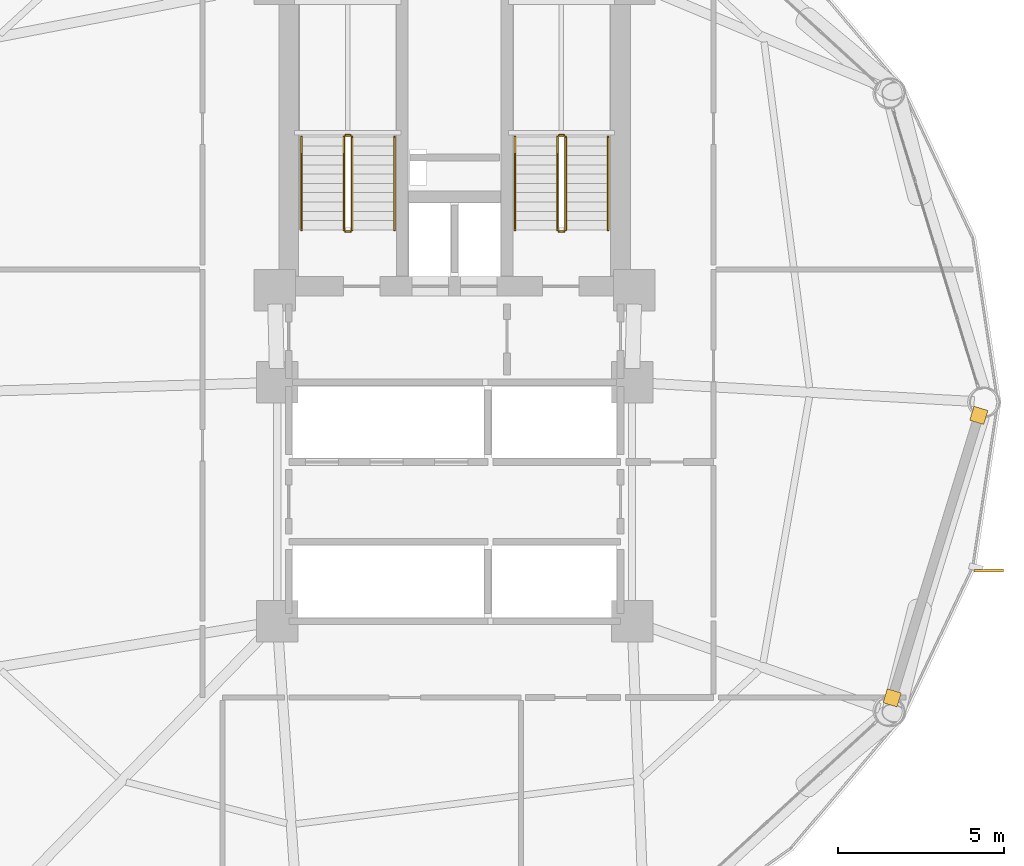
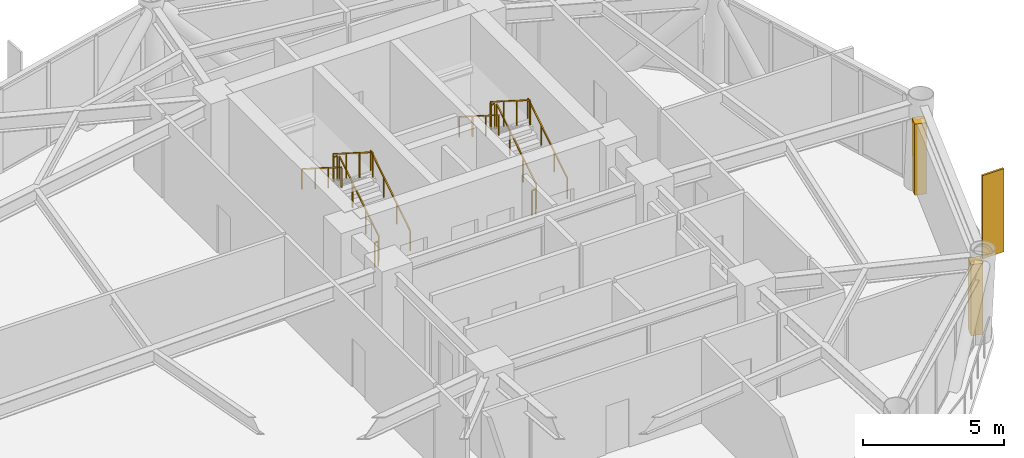
# One storey, part 24 of 25: 12 railings, 2 coverings, 1 shading device.
"""IFC4 building model written with IfcOpenShell, lengths in metres."""

import ifcopenshell
import ifcopenshell.guid

model = None  # the IFC model being written
_history = None  # IfcOwnerHistory: only IFC2X3 demands one
_inside = {}  # id of a spatial element -> (the spatial element, [elements in it])
_under = {}  # id of a project, library or spatial element -> (it, [spatial elements below it])
_declared = {}  # id of a project -> (the project, [libraries it declares])
_typed = {}  # id of a type object -> (the type object, [elements of that type])
_made_of = {}  # id of a material, layer set ... -> (it, [elements and type objects made of it])


def new_model(schema):
    """Start an empty IFC model of exactly this schema.

    Asked for "IFC4X3", IfcOpenShell would pick the latest addendum, in which some entities
    have other attributes; the version numbers below select the first issue.
    IFC2X3 requires an IfcOwnerHistory on every rooted entity: one is made here for all.
    """
    global model, _history
    if schema == "IFC4X3":
        model = ifcopenshell.file(schema_version=(4, 3, 0, 0))
    else:
        model = ifcopenshell.file(schema=schema)
    _inside.clear()
    _under.clear()
    _declared.clear()
    _typed.clear()
    _made_of.clear()
    _history = None
    if model.schema == "IFC2X3":
        org = make("IfcOrganization", Name="unknown")
        user = make(
            "IfcPersonAndOrganization",
            ThePerson=make("IfcPerson", FamilyName="unknown"),
            TheOrganization=org,
        )
        app = make(
            "IfcApplication",
            ApplicationDeveloper=org,
            Version="unknown",
            ApplicationFullName="unknown",
            ApplicationIdentifier="unknown",
        )
        _history = make(
            "IfcOwnerHistory",
            OwningUser=user,
            OwningApplication=app,
            ChangeAction="ADDED",
            CreationDate=0,
        )
    return model


def make(cls, **values):
    """One entity of the class cls with the attributes given. An attribute that is None is left unset."""
    return model.create_entity(
        cls, **{name: value for name, value in values.items() if value is not None}
    )


def rooted(cls, **values):
    """An entity with a GlobalId (a new one), such as an element, a storey or a relation."""
    return make(cls, GlobalId=ifcopenshell.guid.new(), OwnerHistory=_history, **values)


def si_unit(unit_type, name, prefix=None):
    """IfcSIUnit, for example si_unit("LENGTHUNIT", "METRE", prefix="MILLI")."""
    return make("IfcSIUnit", UnitType=unit_type, Prefix=prefix, Name=name)


def assignment(units):
    """IfcUnitAssignment: the units of a project."""
    return None if units is None else make("IfcUnitAssignment", Units=units)


def point(xyz):
    """IfcCartesianPoint."""
    return None if xyz is None else make("IfcCartesianPoint", Coordinates=xyz)


def direction(xyz):
    """IfcDirection."""
    return None if xyz is None else make("IfcDirection", DirectionRatios=xyz)


def frame(location, z_axis=None, x_axis=None):
    """IfcAxis2Placement3D, a coordinate frame: its origin and axes. An axis left out is left unset."""
    return make(
        "IfcAxis2Placement3D",
        Location=point(location),
        Axis=direction(z_axis),
        RefDirection=direction(x_axis),
    )


def frame_2d(location, x_axis=None):
    """IfcAxis2Placement2D, a coordinate frame in the plane: its origin and x axis."""
    return make(
        "IfcAxis2Placement2D", Location=point(location), RefDirection=direction(x_axis)
    )


def origin():
    """The frame at (0, 0, 0) with its axes left unset."""
    return frame((0.0, 0.0, 0.0))


def origin_2d():
    """The frame at (0, 0) in the plane with its x axis left unset."""
    return frame_2d((0.0, 0.0))


def place(relative_to, where):
    """IfcLocalPlacement: puts the frame where relative to a parent placement (None: the world)."""
    return make(
        "IfcLocalPlacement", PlacementRelTo=relative_to, RelativePlacement=where
    )


def context(
    kind, dimensions, precision=None, world=None, true_north=None, identifier=None
):
    """IfcGeometricRepresentationContext, for example the 3D "Model" context."""
    return make(
        "IfcGeometricRepresentationContext",
        ContextIdentifier=identifier,
        ContextType=kind,
        CoordinateSpaceDimension=dimensions,
        Precision=precision,
        WorldCoordinateSystem=world,
        TrueNorth=true_north,
    )


def subcontext(parent, identifier, kind, view, scale=None):
    """IfcGeometricRepresentationSubContext, for example "Body" below "Model"."""
    return make(
        "IfcGeometricRepresentationSubContext",
        ContextIdentifier=identifier,
        ContextType=kind,
        ParentContext=parent,
        TargetScale=scale,
        TargetView=view,
    )


def project(units=None, contexts=None):
    """IfcProject with its units and contexts."""
    return rooted(
        "IfcProject",
        Name="project",
        RepresentationContexts=contexts,
        UnitsInContext=assignment(units),
    )


def spatial(cls, under=None, at=None, **own):
    """A site, building, storey or space (cls), placed at a placement, below another one or the project."""
    s = rooted(cls, ObjectPlacement=at, **own)
    if under is not None:
        _under.setdefault(under.id(), (under, []))[1].append(s)
    return s


def profile(cls, at=None, kind="AREA", **sizes):
    """A parametric profile (cls). Its sizes go by their IFC names, for example OverallWidth=200.0."""
    return make(cls, ProfileType=kind, Position=at, **sizes)


def rectangle(**sizes):
    """IfcRectangleProfileDef."""
    return profile("IfcRectangleProfileDef", **sizes)


def extrude(swept, where, along, depth):
    """IfcExtrudedAreaSolid: the profile swept, set in the frame where, extruded along a direction by depth."""
    return make(
        "IfcExtrudedAreaSolid",
        SweptArea=swept,
        Position=where,
        ExtrudedDirection=direction(along),
        Depth=depth,
    )


def shape(context_of_items, identifier, shape_type, items):
    """IfcShapeRepresentation: the items that make up one representation, for example the "Body"."""
    return make(
        "IfcShapeRepresentation",
        ContextOfItems=context_of_items,
        RepresentationIdentifier=identifier,
        RepresentationType=shape_type,
        Items=items,
    )


def source(mapping_origin, context_of_items, identifier, shape_type, items):
    """IfcRepresentationMap: a shape defined once, which mapped items show again and again."""
    return make(
        "IfcRepresentationMap",
        MappingOrigin=mapping_origin,
        MappedRepresentation=shape(context_of_items, identifier, shape_type, items),
    )


def transform(
    local_origin,
    x_axis=None,
    y_axis=None,
    z_axis=None,
    scale=None,
    scale2=None,
    scale3=None,
    uniform=True,
):
    """IfcCartesianTransformationOperator3D, or its non-uniform kind. x_axis, y_axis, z_axis: its Axis1, 2, 3."""
    if uniform:
        return make(
            "IfcCartesianTransformationOperator3D",
            Axis1=direction(x_axis),
            Axis2=direction(y_axis),
            LocalOrigin=point(local_origin),
            Scale=scale,
            Axis3=direction(z_axis),
        )
    return make(
        "IfcCartesianTransformationOperator3DnonUniform",
        Axis1=direction(x_axis),
        Axis2=direction(y_axis),
        LocalOrigin=point(local_origin),
        Scale=scale,
        Axis3=direction(z_axis),
        Scale2=scale2,
        Scale3=scale3,
    )


def mapped(mapping_source, mapping_target):
    """IfcMappedItem: shows the shape of a source again, moved by a transform."""
    return make(
        "IfcMappedItem", MappingSource=mapping_source, MappingTarget=mapping_target
    )


def material(Name=None, Category=None):
    """IfcMaterial."""
    return make("IfcMaterial", Name=Name, Category=Category)


def layer(
    of_material, thickness, ventilated=None, Name=None, Category=None, Priority=None
):
    """IfcMaterialLayer: one layer of a wall or slab, of a material (None: an air gap)."""
    return make(
        "IfcMaterialLayer",
        Material=of_material,
        LayerThickness=thickness,
        IsVentilated=ventilated,
        Name=Name,
        Category=Category,
        Priority=Priority,
    )


def layer_set(layers, Name=None):
    """IfcMaterialLayerSet."""
    return make("IfcMaterialLayerSet", MaterialLayers=layers, LayerSetName=Name)


def made_of(thing, what):
    """Note that an element or type object is made of a material, layer set ...; save() writes the relation."""
    if what is not None:
        _made_of.setdefault(what.id(), (what, []))[1].append(thing)
    return thing


def type_object(cls, material=None, **own):
    """A type object (cls), such as IfcWallType, which elements share."""
    return made_of(rooted(cls, **own), material)


def type_shapes(of_type, sources):
    """Give a type object the sources (RepresentationMaps) that its elements show as mapped items."""
    of_type.RepresentationMaps = sources


def element(
    cls,
    number,
    at=None,
    inside=None,
    cuts=None,
    type_object=None,
    material=None,
    context=None,
    identifier="Body",
    shape_type=None,
    held_by="IfcProductDefinitionShape",
    body=None,
    shapes=None,
    **own,
):
    """One element of the class cls, such as IfcWall. Its Tag is "e" and its number.

    at: its placement. inside: the storey or other place that contains it. cuts: it is an
    opening in that element (IfcRelVoidsElement). A single representation is given by context,
    identifier, shape_type and body (its items); several are given by shapes. held_by: the class
    of the entity that holds the representations. save() writes the other relations.
    """
    e = rooted(cls, Tag="e%d" % number, ObjectPlacement=at, **own)
    if body is not None:
        shapes = [shape(context, identifier, shape_type, body)]
    if shapes is not None:
        e.Representation = make(held_by, Representations=shapes)
    if inside is not None:
        _inside.setdefault(inside.id(), (inside, []))[1].append(e)
    if cuts is not None:
        rooted(
            "IfcRelVoidsElement", RelatingBuildingElement=cuts, RelatedOpeningElement=e
        )
    if type_object is not None:
        _typed.setdefault(type_object.id(), (type_object, []))[1].append(e)
    return made_of(e, material)


def aggregate(whole, parts):
    """IfcRelAggregates: a whole, such as a stair, and the parts it consists of."""
    return rooted("IfcRelAggregates", RelatingObject=whole, RelatedObjects=parts)


def save(model, path):
    """Write the relations noted so far, then the file.

    IfcRelAggregates (storeys below a building ...), IfcRelContainedInSpatialStructure (elements
    in a storey), IfcRelDefinesByType, IfcRelAssociatesMaterial and IfcRelDeclares: one each for
    every whole, place, type object, material and project.
    """
    for whole, parts in _under.values():
        aggregate(whole, parts)
    for where, things in _inside.values():
        rooted(
            "IfcRelContainedInSpatialStructure",
            RelatedElements=things,
            RelatingStructure=where,
        )
    for kind, things in _typed.values():
        rooted("IfcRelDefinesByType", RelatedObjects=things, RelatingType=kind)
    for what, things in _made_of.values():
        rooted("IfcRelAssociatesMaterial", RelatedObjects=things, RelatingMaterial=what)
    for by, libraries in _declared.values():
        rooted("IfcRelDeclares", RelatingContext=by, RelatedDefinitions=libraries)
    model.write(path)


model = new_model("IFC4")

# Units and contexts
model_context = context("Model", 3, precision=1e-05, world=origin(), true_north=direction((0.0, 1.0)))
body_context = subcontext(model_context, "Body", "Model", "MODEL_VIEW")
ifc_project = project(units=[si_unit("LENGTHUNIT", "METRE"), si_unit("AREAUNIT", "SQUARE_METRE"), si_unit("VOLUMEUNIT", "CUBIC_METRE"), si_unit("PLANEANGLEUNIT", "RADIAN"), si_unit("MASSUNIT", "GRAM", prefix="KILO")], contexts=[model_context])

# Site, building, storey
site_placement = place(None, origin())
site = spatial("IfcSite", under=ifc_project, at=site_placement, CompositionType="ELEMENT")
building_placement = place(site_placement, origin())
building = spatial("IfcBuilding", under=site, at=building_placement, Name="Varnakorn Sky Granary", CompositionType="ELEMENT")
storey_placement = place(building_placement, frame((0.0, 0.0, 35.39990234375)))
storey = spatial("IfcBuildingStorey", under=building, at=storey_placement, Name="L08", CompositionType="ELEMENT", Elevation=35.39990234375)

# Railings
ifc_material_1 = material(Name="Brushed Stainless Steel 316", Category="steel")
railing_type_1 = type_object("IfcRailingType", Name="RL-STAIR-1100", PredefinedType="GUARDRAIL", material=ifc_material_1)
railing_1_placement = place(storey_placement, frame((-0.090087890625, 5.199951171875, 0.177490234375)))
element("IfcRailing", 1, at=railing_1_placement, inside=storey, type_object=railing_type_1, Name="L08 ST-1 stair guard 1", PredefinedType="GUARDRAIL", context=body_context, shape_type="SweptSolid", body=[
    extrude(rectangle(XDim=0.048095703125, YDim=0.048095703125, at=origin_2d()), frame((0.0, 0.0, 1.076171875), z_axis=(0.0, 0.844908973607, 0.534910110503), x_axis=(-1.0, 0.0, 0.0)), (0.0, 0.0, 1.0), 3.31396484375),
    extrude(rectangle(XDim=0.0419921875, YDim=0.0419921875, at=origin_2d()), origin(), (0.0, 0.0, 1.0), 1.048095703125),
    extrude(rectangle(XDim=0.0419921875, YDim=0.0419921875, at=origin_2d()), frame((0.0, 0.933349609375, 0.5908203125)), (0.0, 0.0, 1.0), 1.048095703125),
    extrude(rectangle(XDim=0.0419921875, YDim=0.0419921875, at=origin_2d()), frame((0.0, 1.86669921875, 1.181884765625)), (0.0, 0.0, 1.0), 1.048095703125),
    extrude(rectangle(XDim=0.0419921875, YDim=0.0419921875, at=origin_2d()), frame((0.0, 2.800048828125, 1.772705078125)), (0.0, 0.0, 1.0), 1.048095703125),
])
railing_2_placement = place(storey_placement, frame((-0.139892578125, 8.050048828125, 1.9501953125)))
element("IfcRailing", 2, at=railing_2_placement, inside=storey, type_object=railing_type_1, Name="L08 ST-1 stair guard 2", PredefinedType="GUARDRAIL", context=body_context, shape_type="SweptSolid", body=[
    extrude(rectangle(XDim=0.048095703125, YDim=0.048095703125, at=origin_2d()), frame((0.0, 0.0, 1.076171875), z_axis=(-1.0, 0.0, 0.0), x_axis=(0.0, -1.0, 0.0)), (0.0, 0.0, 1.0), 0.150146484375),
    extrude(rectangle(XDim=0.0419921875, YDim=0.0419921875, at=origin_2d()), origin(), (0.0, 0.0, 1.0), 1.048095703125),
    extrude(rectangle(XDim=0.0419921875, YDim=0.0419921875, at=origin_2d()), frame((-0.150146484375, 0.0, 0.0)), (0.0, 0.0, 1.0), 1.048095703125),
])
railing_3_placement = place(storey_placement, frame((-0.340087890625, 8.0, 2.12744140625)))
element("IfcRailing", 3, at=railing_3_placement, inside=storey, type_object=railing_type_1, Name="L08 ST-1 stair guard 3", PredefinedType="GUARDRAIL", context=body_context, shape_type="SweptSolid", body=[
    extrude(rectangle(XDim=0.048095703125, YDim=0.048095703125, at=origin_2d()), frame((0.0, 0.0, 1.076171875), z_axis=(0.0, -0.844908973607, 0.534910110503), x_axis=(1.0, 0.0, 0.0)), (0.0, 0.0, 1.0), 3.31396484375),
    extrude(rectangle(XDim=0.0419921875, YDim=0.0419921875, at=origin_2d()), origin(), (0.0, 0.0, 1.0), 1.048095703125),
    extrude(rectangle(XDim=0.0419921875, YDim=0.0419921875, at=origin_2d()), frame((0.0, -0.933349609375, 0.5908203125)), (0.0, 0.0, 1.0), 1.048095703125),
    extrude(rectangle(XDim=0.0419921875, YDim=0.0419921875, at=origin_2d()), frame((0.0, -1.86669921875, 1.181884765625)), (0.0, 0.0, 1.0), 1.048095703125),
    extrude(rectangle(XDim=0.0419921875, YDim=0.0419921875, at=origin_2d()), frame((0.0, -2.800048828125, 1.772705078125)), (0.0, 0.0, 1.0), 1.048095703125),
])
railing_4_placement = place(storey_placement, frame((-0.139892578125, 5.14990234375, 0.0)))
element("IfcRailing", 4, at=railing_4_placement, inside=storey, type_object=railing_type_1, Name="L08 ST-1 stair guard 4", PredefinedType="GUARDRAIL", context=body_context, shape_type="SweptSolid", body=[
    extrude(rectangle(XDim=0.048095703125, YDim=0.048095703125, at=origin_2d()), frame((0.0, 0.0, 1.076171875), z_axis=(-1.0, 0.0, 0.0), x_axis=(0.0, -1.0, 0.0)), (0.0, 0.0, 1.0), 0.150146484375),
    extrude(rectangle(XDim=0.0419921875, YDim=0.0419921875, at=origin_2d()), origin(), (0.0, 0.0, 1.0), 1.048095703125),
    extrude(rectangle(XDim=0.0419921875, YDim=0.0419921875, at=origin_2d()), frame((-0.150146484375, 0.0, 0.0)), (0.0, 0.0, 1.0), 1.048095703125),
])
railing_5_placement = place(storey_placement, frame((6.35009765625, 5.199951171875, 0.177490234375)))
element("IfcRailing", 5, at=railing_5_placement, inside=storey, type_object=railing_type_1, Name="L08 ST-2 stair guard 1", PredefinedType="GUARDRAIL", context=body_context, shape_type="SweptSolid", body=[
    extrude(rectangle(XDim=0.048095703125, YDim=0.048095703125, at=origin_2d()), frame((0.0, 0.0, 1.076171875), z_axis=(0.0, 0.844908973607, 0.534910110503), x_axis=(-1.0, 0.0, 0.0)), (0.0, 0.0, 1.0), 3.31396484375),
    extrude(rectangle(XDim=0.0419921875, YDim=0.0419921875, at=origin_2d()), origin(), (0.0, 0.0, 1.0), 1.048095703125),
    extrude(rectangle(XDim=0.0419921875, YDim=0.0419921875, at=origin_2d()), frame((0.0, 0.933349609375, 0.5908203125)), (0.0, 0.0, 1.0), 1.048095703125),
    extrude(rectangle(XDim=0.0419921875, YDim=0.0419921875, at=origin_2d()), frame((0.0, 1.86669921875, 1.181884765625)), (0.0, 0.0, 1.0), 1.048095703125),
    extrude(rectangle(XDim=0.0419921875, YDim=0.0419921875, at=origin_2d()), frame((0.0, 2.800048828125, 1.772705078125)), (0.0, 0.0, 1.0), 1.048095703125),
])
railing_6_placement = place(storey_placement, frame((6.300048828125, 8.050048828125, 1.9501953125)))
element("IfcRailing", 6, at=railing_6_placement, inside=storey, type_object=railing_type_1, Name="L08 ST-2 stair guard 2", PredefinedType="GUARDRAIL", context=body_context, shape_type="SweptSolid", body=[
    extrude(rectangle(XDim=0.048095703125, YDim=0.048095703125, at=origin_2d()), frame((0.0, 0.0, 1.076171875), z_axis=(-1.0, 0.0, 0.0), x_axis=(0.0, -1.0, 0.0)), (0.0, 0.0, 1.0), 0.150146484375),
    extrude(rectangle(XDim=0.0419921875, YDim=0.0419921875, at=origin_2d()), origin(), (0.0, 0.0, 1.0), 1.048095703125),
    extrude(rectangle(XDim=0.0419921875, YDim=0.0419921875, at=origin_2d()), frame((-0.150146484375, 0.0, 0.0)), (0.0, 0.0, 1.0), 1.048095703125),
])
railing_7_placement = place(storey_placement, frame((6.10009765625, 8.0, 2.12744140625)))
element("IfcRailing", 7, at=railing_7_placement, inside=storey, type_object=railing_type_1, Name="L08 ST-2 stair guard 3", PredefinedType="GUARDRAIL", context=body_context, shape_type="SweptSolid", body=[
    extrude(rectangle(XDim=0.048095703125, YDim=0.048095703125, at=origin_2d()), frame((0.0, 0.0, 1.076171875), z_axis=(0.0, -0.844908973607, 0.534910110503), x_axis=(1.0, 0.0, 0.0)), (0.0, 0.0, 1.0), 3.31396484375),
    extrude(rectangle(XDim=0.0419921875, YDim=0.0419921875, at=origin_2d()), origin(), (0.0, 0.0, 1.0), 1.048095703125),
    extrude(rectangle(XDim=0.0419921875, YDim=0.0419921875, at=origin_2d()), frame((0.0, -0.933349609375, 0.5908203125)), (0.0, 0.0, 1.0), 1.048095703125),
    extrude(rectangle(XDim=0.0419921875, YDim=0.0419921875, at=origin_2d()), frame((0.0, -1.86669921875, 1.181884765625)), (0.0, 0.0, 1.0), 1.048095703125),
    extrude(rectangle(XDim=0.0419921875, YDim=0.0419921875, at=origin_2d()), frame((0.0, -2.800048828125, 1.772705078125)), (0.0, 0.0, 1.0), 1.048095703125),
])
railing_8_placement = place(storey_placement, frame((6.300048828125, 5.14990234375, 0.0)))
element("IfcRailing", 8, at=railing_8_placement, inside=storey, type_object=railing_type_1, Name="L08 ST-2 stair guard 4", PredefinedType="GUARDRAIL", context=body_context, shape_type="SweptSolid", body=[
    extrude(rectangle(XDim=0.048095703125, YDim=0.048095703125, at=origin_2d()), frame((0.0, 0.0, 1.076171875), z_axis=(-1.0, 0.0, 0.0), x_axis=(0.0, -1.0, 0.0)), (0.0, 0.0, 1.0), 0.150146484375),
    extrude(rectangle(XDim=0.0419921875, YDim=0.0419921875, at=origin_2d()), origin(), (0.0, 0.0, 1.0), 1.048095703125),
    extrude(rectangle(XDim=0.0419921875, YDim=0.0419921875, at=origin_2d()), frame((-0.150146484375, 0.0, 0.0)), (0.0, 0.0, 1.0), 1.048095703125),
])
railing_type_2 = type_object("IfcRailingType", Name="RL-STAIR-920", PredefinedType="HANDRAIL", material=ifc_material_1)
railing_9_placement = place(storey_placement, frame((1.18994140625, 5.199951171875, 0.177490234375)))
element("IfcRailing", 9, at=railing_9_placement, inside=storey, type_object=railing_type_2, Name="L08 ST-1 stair handrail 1", PredefinedType="HANDRAIL", context=body_context, shape_type="SweptSolid", body=[
    extrude(rectangle(XDim=0.048095703125, YDim=0.048095703125, at=origin_2d()), frame((0.0, 0.0, 0.8759765625), z_axis=(0.0, 0.844908973607, 0.534910110503), x_axis=(-1.0, 0.0, 0.0)), (0.0, 0.0, 1.0), 3.31396484375),
    extrude(rectangle(XDim=0.0419921875, YDim=0.0419921875, at=origin_2d()), origin(), (0.0, 0.0, 1.0), 0.847900390625),
    extrude(rectangle(XDim=0.0419921875, YDim=0.0419921875, at=origin_2d()), frame((0.0, 0.933349609375, 0.5908203125)), (0.0, 0.0, 1.0), 0.847900390625),
    extrude(rectangle(XDim=0.0419921875, YDim=0.0419921875, at=origin_2d()), frame((0.0, 1.86669921875, 1.181884765625)), (0.0, 0.0, 1.0), 0.847900390625),
    extrude(rectangle(XDim=0.0419921875, YDim=0.0419921875, at=origin_2d()), frame((0.0, 2.800048828125, 1.772705078125)), (0.0, 0.0, 1.0), 0.847900390625),
])
railing_10_placement = place(storey_placement, frame((-1.6201171875, 8.0, 2.12744140625)))
element("IfcRailing", 10, at=railing_10_placement, inside=storey, type_object=railing_type_2, Name="L08 ST-1 stair handrail 2", PredefinedType="HANDRAIL", context=body_context, shape_type="SweptSolid", body=[
    extrude(rectangle(XDim=0.048095703125, YDim=0.048095703125, at=origin_2d()), frame((0.0, 0.0, 0.8759765625), z_axis=(0.0, -0.844908973607, 0.534910110503), x_axis=(1.0, 0.0, 0.0)), (0.0, 0.0, 1.0), 3.31396484375),
    extrude(rectangle(XDim=0.0419921875, YDim=0.0419921875, at=origin_2d()), origin(), (0.0, 0.0, 1.0), 0.847900390625),
    extrude(rectangle(XDim=0.0419921875, YDim=0.0419921875, at=origin_2d()), frame((0.0, -0.933349609375, 0.5908203125)), (0.0, 0.0, 1.0), 0.847900390625),
    extrude(rectangle(XDim=0.0419921875, YDim=0.0419921875, at=origin_2d()), frame((0.0, -1.86669921875, 1.181884765625)), (0.0, 0.0, 1.0), 0.847900390625),
    extrude(rectangle(XDim=0.0419921875, YDim=0.0419921875, at=origin_2d()), frame((0.0, -2.800048828125, 1.772705078125)), (0.0, 0.0, 1.0), 0.847900390625),
])
railing_11_placement = place(storey_placement, frame((7.6298828125, 5.199951171875, 0.177490234375)))
element("IfcRailing", 11, at=railing_11_placement, inside=storey, type_object=railing_type_2, Name="L08 ST-2 stair handrail 1", PredefinedType="HANDRAIL", context=body_context, shape_type="SweptSolid", body=[
    extrude(rectangle(XDim=0.048095703125, YDim=0.048095703125, at=origin_2d()), frame((0.0, 0.0, 0.8759765625), z_axis=(0.0, 0.844908973607, 0.534910110503), x_axis=(-1.0, 0.0, 0.0)), (0.0, 0.0, 1.0), 3.31396484375),
    extrude(rectangle(XDim=0.0419921875, YDim=0.0419921875, at=origin_2d()), origin(), (0.0, 0.0, 1.0), 0.847900390625),
    extrude(rectangle(XDim=0.0419921875, YDim=0.0419921875, at=origin_2d()), frame((0.0, 0.933349609375, 0.5908203125)), (0.0, 0.0, 1.0), 0.847900390625),
    extrude(rectangle(XDim=0.0419921875, YDim=0.0419921875, at=origin_2d()), frame((0.0, 1.86669921875, 1.181884765625)), (0.0, 0.0, 1.0), 0.847900390625),
    extrude(rectangle(XDim=0.0419921875, YDim=0.0419921875, at=origin_2d()), frame((0.0, 2.800048828125, 1.772705078125)), (0.0, 0.0, 1.0), 0.847900390625),
])
railing_12_placement = place(storey_placement, frame((4.820068359375, 8.0, 2.12744140625)))
element("IfcRailing", 12, at=railing_12_placement, inside=storey, type_object=railing_type_2, Name="L08 ST-2 stair handrail 2", PredefinedType="HANDRAIL", context=body_context, shape_type="SweptSolid", body=[
    extrude(rectangle(XDim=0.048095703125, YDim=0.048095703125, at=origin_2d()), frame((0.0, 0.0, 0.8759765625), z_axis=(0.0, -0.844908973607, 0.534910110503), x_axis=(1.0, 0.0, 0.0)), (0.0, 0.0, 1.0), 3.31396484375),
    extrude(rectangle(XDim=0.0419921875, YDim=0.0419921875, at=origin_2d()), origin(), (0.0, 0.0, 1.0), 0.847900390625),
    extrude(rectangle(XDim=0.0419921875, YDim=0.0419921875, at=origin_2d()), frame((0.0, -0.933349609375, 0.5908203125)), (0.0, 0.0, 1.0), 0.847900390625),
    extrude(rectangle(XDim=0.0419921875, YDim=0.0419921875, at=origin_2d()), frame((0.0, -1.86669921875, 1.181884765625)), (0.0, 0.0, 1.0), 0.847900390625),
    extrude(rectangle(XDim=0.0419921875, YDim=0.0419921875, at=origin_2d()), frame((0.0, -2.800048828125, 1.772705078125)), (0.0, 0.0, 1.0), 0.847900390625),
])

# Shading device
ifc_material_2 = material(Name="Anodised Bronze Aluminium Alloy 6063-T6", Category="aluminium")
shading_device_type = type_object("IfcShadingDeviceType", Name="SH-FIN-01", PredefinedType="USERDEFINED", material=ifc_material_2)
shared_shape_1 = source(origin(), body_context, "Body", "SweptSolid", [
    extrude(rectangle(XDim=0.0849609375, YDim=0.8798828125, at=origin_2d()), origin(), (0.0, 0.0, 1.0), 3.60009765625),
])
type_shapes(shading_device_type, [shared_shape_1])
shading_device_placement = place(storey_placement, frame((19.10498046875, -5.074462890625, -0.0400390625), z_axis=(0.0, 0.0, 1.0), x_axis=(-0.005841554724, 0.999982937974, 0.0)))
element("IfcShadingDevice", 13, at=shading_device_placement, inside=storey, type_object=shading_device_type, Name="Bronze Solar-Tracking Vertical Blade FIN L08-12", ObjectType="FIN", PredefinedType="USERDEFINED", context=body_context, shape_type="MappedRepresentation", body=[
    mapped(shared_shape_1, transform((0.0, 0.0, 0.0), x_axis=(1.0, 0.0, 0.0), y_axis=(0.0, 1.0, 0.0), z_axis=(0.0, 0.0, 1.0), scale=1.0)),
])

# Coverings
ifc_layer = layer(ifc_material_2, 0.050048828125, Name="Anodised Bronze Aluminium Alloy 6063-T6")
ifc_layer_set = layer_set([ifc_layer], Name="Anodised Bronze Aluminium Alloy 6063-T6")
covering_type = type_object("IfcCoveringType", Name="CV-CLAD-50", PredefinedType="CLADDING", material=ifc_layer_set)
shared_shape_2 = source(origin(), body_context, "Body", "SweptSolid", [
    extrude(rectangle(XDim=0.43994140625, YDim=0.43994140625, at=origin_2d()), origin(), (0.0, 0.0, 1.0), 3.080078125),
])
type_shapes(covering_type, [shared_shape_2])
for number, where, z_axis, x_axis, name in (
    (14, (18.80322265625, -0.393798828125, -0.02001953125), (0.0, 0.0, 1.0), (-0.293206126622, -0.956049249417, 0.0), "Bronze Corner Pilaster Closure L08-P12-A"),
    (15, (16.191650390625, -8.9091796875, -0.02001953125), (0.0, 0.0, 1.0), (-0.293206126622, -0.956049249417, 0.0), "Bronze Corner Pilaster Closure L08-P12-B"),
):
    element("IfcCovering", number, at=place(storey_placement, frame(where, z_axis=z_axis, x_axis=x_axis)), inside=storey, type_object=covering_type, Name=name, PredefinedType="CLADDING", context=body_context, shape_type="MappedRepresentation", body=[
        mapped(shared_shape_2, transform((0.0, 0.0, 0.0), x_axis=(1.0, 0.0, 0.0), y_axis=(0.0, 1.0, 0.0), z_axis=(0.0, 0.0, 1.0), scale=1.0)),
    ])

save(model, "model.ifc")
